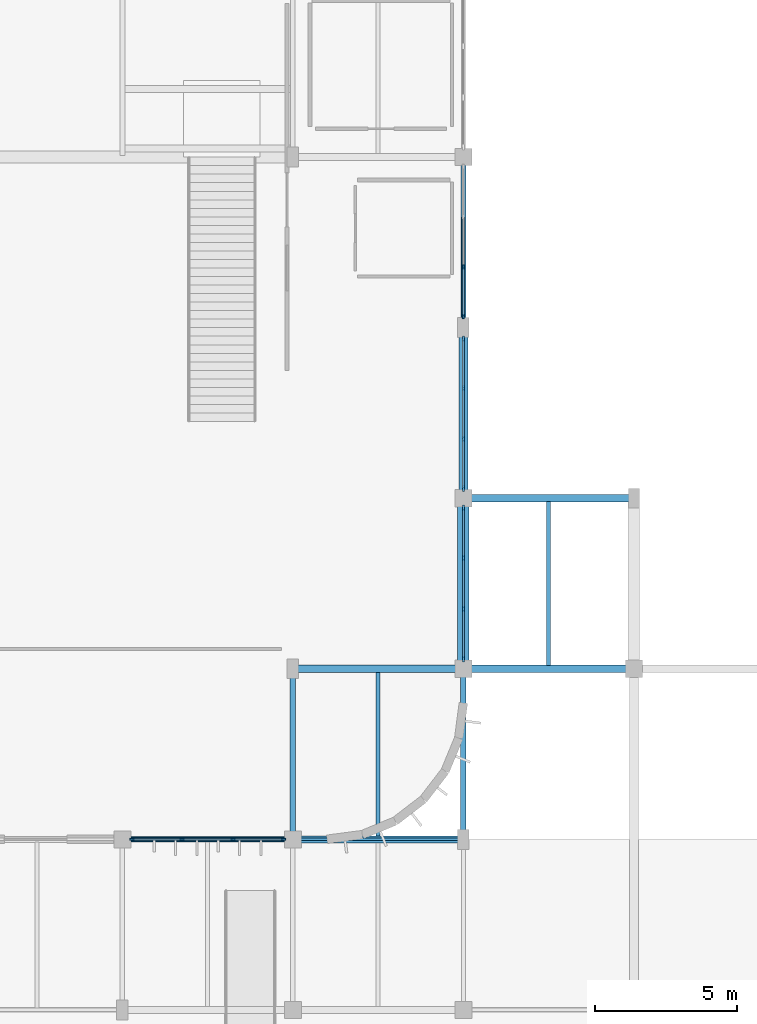
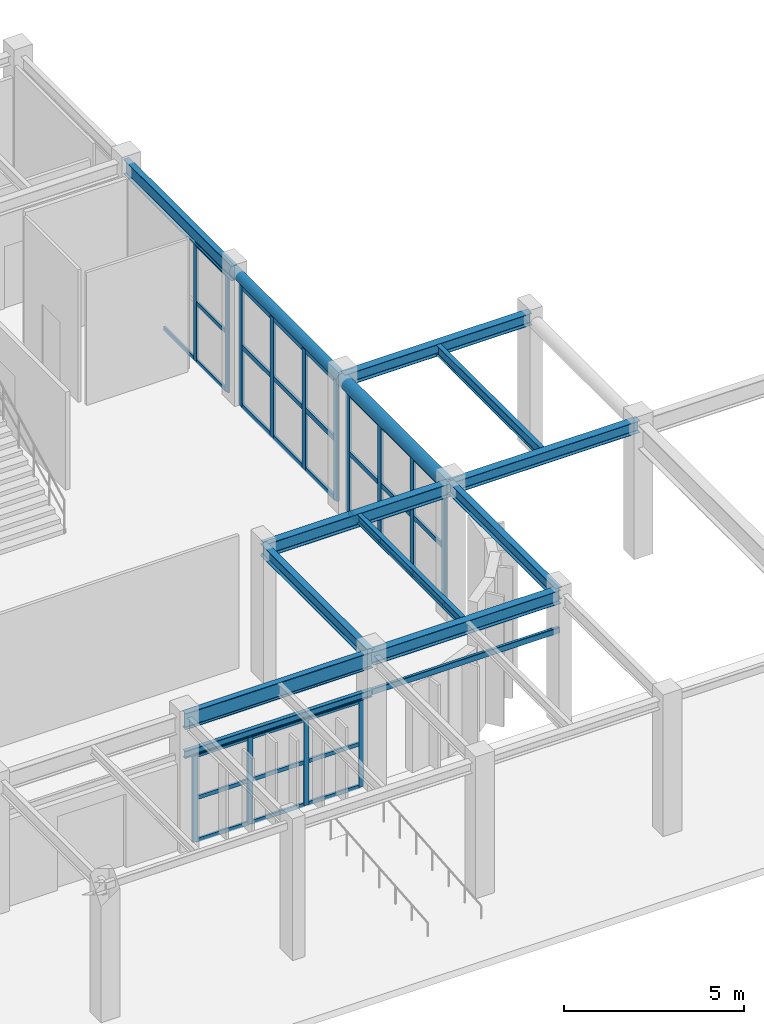
# One storey, part 15 of 76: 45 members, 14 beams, 4 elements without a shape of their own.
"""IFC4 building model written with IfcOpenShell, lengths in metres."""

from ifc_helpers import new_model, si_unit, direction, frame, origin, origin_2d, place, context, subcontext, project, spatial, rectangle, hollow_rectangle, hollow_circle, i_section, extrude, material, material_profile, profile_set, type_object, element, aggregate, save


model = new_model("IFC4")

# Units and contexts
model_context = context("Model", 3, precision=1e-05, world=origin(), true_north=direction((0.0, 1.0)))
body_context = subcontext(model_context, "Body", "Model", "MODEL_VIEW")
ifc_project = project(units=[si_unit("LENGTHUNIT", "METRE"), si_unit("AREAUNIT", "SQUARE_METRE"), si_unit("VOLUMEUNIT", "CUBIC_METRE"), si_unit("PLANEANGLEUNIT", "RADIAN"), si_unit("MASSUNIT", "GRAM", prefix="KILO")], contexts=[model_context])

# Site, building, storey
site_placement = place(None, origin())
site = spatial("IfcSite", under=ifc_project, at=site_placement, CompositionType="ELEMENT")
building_placement = place(site_placement, origin())
building = spatial("IfcBuilding", under=site, at=building_placement, Name="Varnakota Square Police Headquarters", CompositionType="ELEMENT")
storey_placement = place(building_placement, origin())
storey = spatial("IfcBuildingStorey", under=building, at=storey_placement, Name="L00", CompositionType="ELEMENT", Elevation=0.0)

# Beams
ifc_material_1 = material(Name="Steel IS 2062 Grade 350", Category="steel")
ifc_material_profile_1 = material_profile(ifc_material_1, hollow_circle(Radius=0.161865234375, WallThickness=0.0126953125, at=origin_2d()), Name="CHS 323.9x12.7")
ifc_profile_set_1 = profile_set([ifc_material_profile_1], Name="Steel IS 2062 Grade 350")
beam_type_1 = type_object("IfcBeamType", Name="BM-ARC-CHS324", PredefinedType="BEAM", material=ifc_profile_set_1)
beam_1_placement = place(storey_placement, frame((96.0, 21.0, 4.337890625), z_axis=(0.0, 1.0, 0.0), x_axis=(-1.0, 0.0, 0.0)))
element("IfcBeam", 1, at=beam_1_placement, inside=storey, type_object=beam_type_1, Name="BMG-L00-1072", PredefinedType="BEAM", context=body_context, shape_type="SweptSolid", body=[
    extrude(hollow_circle(Radius=0.161865234375, WallThickness=0.0126953125, at=origin_2d()), origin(), (0.0, 0.0, 1.0), 6.0),
])
ifc_material_profile_2 = material_profile(ifc_material_1, hollow_circle(Radius=0.203125, WallThickness=0.01611328125, at=origin_2d()), Name="CHS 406.4x16.0")
ifc_profile_set_2 = profile_set([ifc_material_profile_2], Name="Steel IS 2062 Grade 350")
beam_type_2 = type_object("IfcBeamType", Name="BM-ARC-CHS406", PredefinedType="BEAM", material=ifc_profile_set_2)
beam_2_placement = place(storey_placement, frame((96.0, 15.0, 4.296875), z_axis=(0.0, 1.0, 0.0), x_axis=(-1.0, 0.0, 0.0)))
element("IfcBeam", 2, at=beam_2_placement, inside=storey, type_object=beam_type_2, Name="BMG-L00-1071", PredefinedType="BEAM", context=body_context, shape_type="SweptSolid", body=[
    extrude(hollow_circle(Radius=0.203125, WallThickness=0.01611328125, at=origin_2d()), origin(), (0.0, 0.0, 1.0), 6.0),
])
ifc_material_profile_3 = material_profile(ifc_material_1, i_section(OverallWidth=0.25, OverallDepth=0.39990234375, WebThickness=0.010498046875, FlangeThickness=0.0126953125, FilletRadius=0.013916015625, at=origin_2d()), Name="ISHB 400")
ifc_profile_set_3 = profile_set([ifc_material_profile_3], Name="Steel IS 2062 Grade 350")
beam_type_3 = type_object("IfcBeamType", Name="BM-ISHB400", PredefinedType="BEAM", material=ifc_profile_set_3)
for number, where, z_axis, x_axis, name in (
    (3, (96.0, 15.0, 4.300048828125), (1.0, 0.0, 0.0), (0.0, 1.0, 0.0), "BMG-L00-0732"),
    (4, (96.0, 21.0, 4.300048828125), (1.0, 0.0, 0.0), (0.0, 1.0, 0.0), "BMG-L00-0748"),
):
    element("IfcBeam", number, at=place(storey_placement, frame(where, z_axis=z_axis, x_axis=x_axis)), inside=storey, type_object=beam_type_3, Name=name, PredefinedType="BEAM", context=body_context, shape_type="SweptSolid", body=[
        extrude(i_section(OverallWidth=0.25, OverallDepth=0.39990234375, WebThickness=0.010498046875, FlangeThickness=0.0126953125, FilletRadius=0.013916015625, at=origin_2d()), origin(), (0.0, 0.0, 1.0), 6.0),
    ])
ifc_material_profile_4 = material_profile(ifc_material_1, i_section(OverallWidth=0.25, OverallDepth=0.449951171875, WebThickness=0.01123046875, FlangeThickness=0.013671875, FilletRadius=0.014892578125, at=origin_2d()), Name="ISHB 450")
ifc_profile_set_4 = profile_set([ifc_material_profile_4], Name="Steel IS 2062 Grade 350")
beam_type_4 = type_object("IfcBeamType", Name="BM-ISHB450", PredefinedType="BEAM", material=ifc_profile_set_4)
for number, where, z_axis, x_axis, name in (
    (5, (90.0, 9.0, 4.27490234375), (1.0, 0.0, 0.0), (0.0, 1.0, 0.0), "BMG-L00-0717"),
    (6, (90.0, 15.0, 4.27490234375), (1.0, 0.0, 0.0), (0.0, 1.0, 0.0), "BMG-L00-0731"),
):
    element("IfcBeam", number, at=place(storey_placement, frame(where, z_axis=z_axis, x_axis=x_axis)), inside=storey, type_object=beam_type_4, Name=name, PredefinedType="BEAM", context=body_context, shape_type="SweptSolid", body=[
        extrude(i_section(OverallWidth=0.25, OverallDepth=0.449951171875, WebThickness=0.01123046875, FlangeThickness=0.013671875, FilletRadius=0.014892578125, at=origin_2d()), origin(), (0.0, 0.0, 1.0), 6.0),
    ])
ifc_material_profile_5 = material_profile(ifc_material_1, i_section(OverallWidth=0.125, OverallDepth=0.25, WebThickness=0.0068359375, FlangeThickness=0.012451171875, FilletRadius=0.012939453125, at=origin_2d()), Name="ISMB 250")
ifc_profile_set_5 = profile_set([ifc_material_profile_5], Name="Steel IS 2062 Grade 350")
beam_type_5 = type_object("IfcBeamType", Name="BM-ISMB250", PredefinedType="LINTEL", material=ifc_profile_set_5)
beam_3_placement = place(storey_placement, frame((84.0, 9.0, 3.074951171875), z_axis=(1.0, 0.0, 0.0), x_axis=(0.0, 1.0, 0.0)))
element("IfcBeam", 7, at=beam_3_placement, inside=storey, type_object=beam_type_5, Name="Entrance lintel LNT-06", PredefinedType="LINTEL", context=body_context, shape_type="SweptSolid", body=[
    extrude(i_section(OverallWidth=0.125, OverallDepth=0.25, WebThickness=0.0068359375, FlangeThickness=0.012451171875, FilletRadius=0.012939453125, at=origin_2d()), origin(), (0.0, 0.0, 1.0), 6.0),
])
ifc_material_profile_6 = material_profile(ifc_material_1, i_section(OverallWidth=0.139892578125, OverallDepth=0.300048828125, WebThickness=0.0078125, FlangeThickness=0.01318359375, FilletRadius=0.013916015625, at=origin_2d()), Name="ISMB 300")
ifc_profile_set_6 = profile_set([ifc_material_profile_6], Name="Steel IS 2062 Grade 350")
beam_type_6 = type_object("IfcBeamType", Name="BM-ISMB300", PredefinedType="JOIST", material=ifc_profile_set_6)
beam_4_placement = place(storey_placement, frame((93.0, 9.123046875, 4.35009765625), z_axis=(0.0, 1.0, 0.0), x_axis=(-1.0, 0.0, 0.0)))
element("IfcBeam", 8, at=beam_4_placement, inside=storey, type_object=beam_type_6, Name="BMG-L00-1253", PredefinedType="JOIST", context=body_context, shape_type="SweptSolid", body=[
    extrude(i_section(OverallWidth=0.139892578125, OverallDepth=0.300048828125, WebThickness=0.0078125, FlangeThickness=0.01318359375, FilletRadius=0.013916015625, at=origin_2d()), origin(), (0.0, 0.0, 1.0), 5.75390625),
])
ifc_material_profile_7 = material_profile(ifc_material_1, i_section(OverallWidth=0.139892578125, OverallDepth=0.35009765625, WebThickness=0.008056640625, FlangeThickness=0.01416015625, FilletRadius=0.013916015625, at=origin_2d()), Name="ISMB 350")
ifc_profile_set_7 = profile_set([ifc_material_profile_7], Name="Steel IS 2062 Grade 350")
beam_type_7 = type_object("IfcBeamType", Name="BM-ISMB350", PredefinedType="JOIST", material=ifc_profile_set_7)
beam_5_placement = place(storey_placement, frame((99.0, 15.123046875, 4.324951171875), z_axis=(0.0, 1.0, 0.0), x_axis=(-1.0, 0.0, 0.0)))
element("IfcBeam", 9, at=beam_5_placement, inside=storey, type_object=beam_type_7, Name="BMG-L00-1256", PredefinedType="JOIST", context=body_context, shape_type="SweptSolid", body=[
    extrude(i_section(OverallWidth=0.139892578125, OverallDepth=0.35009765625, WebThickness=0.008056640625, FlangeThickness=0.01416015625, FilletRadius=0.013916015625, at=origin_2d()), origin(), (0.0, 0.0, 1.0), 5.75390625),
])
ifc_material_profile_8 = material_profile(ifc_material_1, i_section(OverallWidth=0.179931640625, OverallDepth=0.5, WebThickness=0.01025390625, FlangeThickness=0.01708984375, FilletRadius=0.01708984375, at=origin_2d()), Name="ISMB 500")
ifc_profile_set_8 = profile_set([ifc_material_profile_8], Name="Steel IS 2062 Grade 350")
beam_type_8 = type_object("IfcBeamType", Name="BM-ISMB500", PredefinedType="BEAM", material=ifc_profile_set_8)
beam_6_placement = place(storey_placement, frame((96.0, 27.0, 4.25), z_axis=(0.0, 1.0, 0.0), x_axis=(-1.0, 0.0, 0.0)))
element("IfcBeam", 10, at=beam_6_placement, inside=storey, type_object=beam_type_8, Name="BMG-L00-1073", PredefinedType="BEAM", context=body_context, shape_type="SweptSolid", body=[
    extrude(i_section(OverallWidth=0.179931640625, OverallDepth=0.5, WebThickness=0.01025390625, FlangeThickness=0.01708984375, FilletRadius=0.01708984375, at=origin_2d()), origin(), (0.0, 0.0, 1.0), 6.0),
])
ifc_material_profile_9 = material_profile(ifc_material_1, i_section(OverallWidth=0.18994140625, OverallDepth=0.550048828125, WebThickness=0.01123046875, FlangeThickness=0.019287109375, FilletRadius=0.01806640625, at=origin_2d()), Name="ISMB 550")
ifc_profile_set_9 = profile_set([ifc_material_profile_9], Name="Steel IS 2062 Grade 350")
beam_type_9 = type_object("IfcBeamType", Name="BM-ISMB550", PredefinedType="BEAM", material=ifc_profile_set_9)
beam_7_placement = place(storey_placement, frame((84.0, 9.0, 4.22509765625), z_axis=(1.0, 0.0, 0.0), x_axis=(0.0, 1.0, 0.0)))
element("IfcBeam", 11, at=beam_7_placement, inside=storey, type_object=beam_type_9, Name="BMG-L00-0716", PredefinedType="BEAM", context=body_context, shape_type="SweptSolid", body=[
    extrude(i_section(OverallWidth=0.18994140625, OverallDepth=0.550048828125, WebThickness=0.01123046875, FlangeThickness=0.019287109375, FilletRadius=0.01806640625, at=origin_2d()), origin(), (0.0, 0.0, 1.0), 6.0),
])
ifc_material_profile_10 = material_profile(ifc_material_1, i_section(OverallWidth=0.199951171875, OverallDepth=0.39990234375, WebThickness=0.008544921875, FlangeThickness=0.012939453125, FilletRadius=0.012939453125, at=origin_2d()), Name="ISWB 400")
ifc_profile_set_10 = profile_set([ifc_material_profile_10], Name="Steel IS 2062 Grade 350")
beam_type_10 = type_object("IfcBeamType", Name="BM-ISWB400", PredefinedType="BEAM", material=ifc_profile_set_10)
for number, where, z_axis, x_axis, name in (
    (12, (90.0, 9.0, 4.300048828125), (0.0, 1.0, 0.0), (-1.0, 0.0, 0.0), "BMG-L00-1064"),
    (13, (96.0, 9.0, 4.300048828125), (0.0, 1.0, 0.0), (-1.0, 0.0, 0.0), "BMG-L00-1070"),
):
    element("IfcBeam", number, at=place(storey_placement, frame(where, z_axis=z_axis, x_axis=x_axis)), inside=storey, type_object=beam_type_10, Name=name, PredefinedType="BEAM", context=body_context, shape_type="SweptSolid", body=[
        extrude(i_section(OverallWidth=0.199951171875, OverallDepth=0.39990234375, WebThickness=0.008544921875, FlangeThickness=0.012939453125, FilletRadius=0.012939453125, at=origin_2d()), origin(), (0.0, 0.0, 1.0), 6.0),
    ])
ifc_material_profile_11 = material_profile(ifc_material_1, hollow_rectangle(XDim=0.10009765625, YDim=0.199951171875, WallThickness=0.008056640625, InnerFilletRadius=0.008056640625, OuterFilletRadius=0.01611328125, at=origin_2d()), Name="RHS 200x100x8")
ifc_profile_set_11 = profile_set([ifc_material_profile_11], Name="Steel IS 2062 Grade 350")
beam_type_11 = type_object("IfcBeamType", Name="BM-LNT-RHS200", PredefinedType="LINTEL", material=ifc_profile_set_11)
beam_8_placement = place(storey_placement, frame((90.0, 9.0, 3.10009765625), z_axis=(1.0, 0.0, 0.0), x_axis=(0.0, 1.0, 0.0)))
element("IfcBeam", 14, at=beam_8_placement, inside=storey, type_object=beam_type_11, Name="Entrance lintel LNT-07", PredefinedType="LINTEL", context=body_context, shape_type="SweptSolid", body=[
    extrude(hollow_rectangle(XDim=0.10009765625, YDim=0.199951171875, WallThickness=0.008056640625, InnerFilletRadius=0.008056640625, OuterFilletRadius=0.01611328125, at=origin_2d()), origin(), (0.0, 0.0, 1.0), 6.0),
])

# Curtain wall, members
ifc_material_2 = material(Name="Anodised Aluminium Framing", Category="aluminium")
curtain_wall_type = type_object("IfcCurtainWallType", Name="CW-SYS-A", PredefinedType="NOTDEFINED", material=ifc_material_2)
curtain_wall_1_placement = place(storey_placement, origin())
curtain_wall_1 = element("IfcCurtainWall", 15, at=curtain_wall_1_placement, inside=storey, type_object=curtain_wall_type, Name="Unitised curtain wall CWG-L00-001", PredefinedType="NOTDEFINED")
ifc_material_3 = material(Name="Anodised Aluminium 6063-T6", Category="aluminium")
ifc_material_profile_12 = material_profile(ifc_material_3, rectangle(XDim=0.06494140625, YDim=0.159912109375, at=origin_2d()), Name="ALU MULLION 65x160")
ifc_profile_set_12 = profile_set([ifc_material_profile_12], Name="Anodised Aluminium 6063-T6")
member_type_1 = type_object("IfcMemberType", Name="CWM-150", PredefinedType="MULLION", material=ifc_profile_set_12)
member_1_placement = place(storey_placement, frame((84.33740234375, 9.0, 0.0), z_axis=(0.0, 0.0, 1.0), x_axis=(0.0, 1.0, 0.0)))
member_1 = element("IfcMember", 16, at=member_1_placement, type_object=member_type_1, Name="CWG-L00-001 mullion 1", PredefinedType="MULLION", context=body_context, shape_type="SweptSolid", body=[
    extrude(rectangle(XDim=0.06494140625, YDim=0.159912109375, at=origin_2d()), origin(), (0.0, 0.0, 1.0), 2.93994140625),
])
member_2_placement = place(storey_placement, frame((86.1015625, 9.0, 0.0), z_axis=(0.0, 0.0, 1.0), x_axis=(0.0, 1.0, 0.0)))
member_2 = element("IfcMember", 17, at=member_2_placement, type_object=member_type_1, Name="CWG-L00-001 mullion 2", PredefinedType="MULLION", context=body_context, shape_type="SweptSolid", body=[
    extrude(rectangle(XDim=0.06494140625, YDim=0.159912109375, at=origin_2d()), origin(), (0.0, 0.0, 1.0), 2.93994140625),
])
member_3_placement = place(storey_placement, frame((87.8984375, 9.0, 0.0), z_axis=(0.0, 0.0, 1.0), x_axis=(0.0, 1.0, 0.0)))
member_3 = element("IfcMember", 18, at=member_3_placement, type_object=member_type_1, Name="CWG-L00-001 mullion 3", PredefinedType="MULLION", context=body_context, shape_type="SweptSolid", body=[
    extrude(rectangle(XDim=0.06494140625, YDim=0.159912109375, at=origin_2d()), origin(), (0.0, 0.0, 1.0), 2.93994140625),
])
member_4_placement = place(storey_placement, frame((89.66259765625, 9.0, 0.0), z_axis=(0.0, 0.0, 1.0), x_axis=(0.0, 1.0, 0.0)))
member_4 = element("IfcMember", 19, at=member_4_placement, type_object=member_type_1, Name="CWG-L00-001 mullion 4", PredefinedType="MULLION", context=body_context, shape_type="SweptSolid", body=[
    extrude(rectangle(XDim=0.06494140625, YDim=0.159912109375, at=origin_2d()), origin(), (0.0, 0.0, 1.0), 2.93994140625),
])

curtain_wall_2_placement = place(storey_placement, origin())
curtain_wall_2 = element("IfcCurtainWall", 20, at=curtain_wall_2_placement, inside=storey, type_object=curtain_wall_type, Name="Unitised curtain wall CWG-L00-013", PredefinedType="NOTDEFINED")
member_5_placement = place(storey_placement, frame((96.0, 27.387451171875, 0.0), z_axis=(0.0, 0.0, 1.0), x_axis=(-1.0, 0.0, 0.0)))
member_5 = element("IfcMember", 21, at=member_5_placement, type_object=member_type_1, Name="CWG-L00-013 mullion 1", PredefinedType="MULLION", context=body_context, shape_type="SweptSolid", body=[
    extrude(rectangle(XDim=0.06494140625, YDim=0.159912109375, at=origin_2d()), origin(), (0.0, 0.0, 1.0), 3.989990234375),
])
member_6_placement = place(storey_placement, frame((96.0, 29.135009765625, 0.0), z_axis=(0.0, 0.0, 1.0), x_axis=(-1.0, 0.0, 0.0)))
member_6 = element("IfcMember", 22, at=member_6_placement, type_object=member_type_1, Name="CWG-L00-013 mullion 2", PredefinedType="MULLION", context=body_context, shape_type="SweptSolid", body=[
    extrude(rectangle(XDim=0.06494140625, YDim=0.159912109375, at=origin_2d()), origin(), (0.0, 0.0, 1.0), 3.989990234375),
])

curtain_wall_3_placement = place(storey_placement, origin())
curtain_wall_3 = element("IfcCurtainWall", 23, at=curtain_wall_3_placement, inside=storey, type_object=curtain_wall_type, Name="Unitised curtain wall CWG-L00-009", PredefinedType="NOTDEFINED")
ifc_material_profile_13 = material_profile(ifc_material_3, rectangle(XDim=0.074951171875, YDim=0.199951171875, at=origin_2d()), Name="ALU MULLION 75x200")
ifc_profile_set_13 = profile_set([ifc_material_profile_13], Name="Anodised Aluminium 6063-T6")
member_type_2 = type_object("IfcMemberType", Name="CWM-180", PredefinedType="MULLION", material=ifc_profile_set_13)
member_7_placement = place(storey_placement, frame((96.0, 15.342529296875, 0.0), z_axis=(0.0, 0.0, 1.0), x_axis=(-1.0, 0.0, 0.0)))
member_7 = element("IfcMember", 24, at=member_7_placement, type_object=member_type_2, Name="CWG-L00-009 mullion 1", PredefinedType="MULLION", context=body_context, shape_type="SweptSolid", body=[
    extrude(rectangle(XDim=0.074951171875, YDim=0.199951171875, at=origin_2d()), origin(), (0.0, 0.0, 1.0), 4.08349609375),
])
member_8_placement = place(storey_placement, frame((96.0, 17.1015625, 0.0), z_axis=(0.0, 0.0, 1.0), x_axis=(-1.0, 0.0, 0.0)))
member_8 = element("IfcMember", 25, at=member_8_placement, type_object=member_type_2, Name="CWG-L00-009 mullion 2", PredefinedType="MULLION", context=body_context, shape_type="SweptSolid", body=[
    extrude(rectangle(XDim=0.074951171875, YDim=0.199951171875, at=origin_2d()), origin(), (0.0, 0.0, 1.0), 4.08349609375),
])
member_9_placement = place(storey_placement, frame((96.0, 18.8984375, 0.0), z_axis=(0.0, 0.0, 1.0), x_axis=(-1.0, 0.0, 0.0)))
member_9 = element("IfcMember", 26, at=member_9_placement, type_object=member_type_2, Name="CWG-L00-009 mullion 3", PredefinedType="MULLION", context=body_context, shape_type="SweptSolid", body=[
    extrude(rectangle(XDim=0.074951171875, YDim=0.199951171875, at=origin_2d()), origin(), (0.0, 0.0, 1.0), 4.08349609375),
])
member_10_placement = place(storey_placement, frame((96.0, 20.657470703125, 0.0), z_axis=(0.0, 0.0, 1.0), x_axis=(-1.0, 0.0, 0.0)))
member_10 = element("IfcMember", 27, at=member_10_placement, type_object=member_type_2, Name="CWG-L00-009 mullion 4", PredefinedType="MULLION", context=body_context, shape_type="SweptSolid", body=[
    extrude(rectangle(XDim=0.074951171875, YDim=0.199951171875, at=origin_2d()), origin(), (0.0, 0.0, 1.0), 4.08349609375),
])

curtain_wall_4_placement = place(storey_placement, origin())
curtain_wall_4 = element("IfcCurtainWall", 28, at=curtain_wall_4_placement, inside=storey, type_object=curtain_wall_type, Name="Unitised curtain wall CWG-L00-011", PredefinedType="NOTDEFINED")
member_11_placement = place(storey_placement, frame((96.0, 21.342529296875, 0.0), z_axis=(0.0, 0.0, 1.0), x_axis=(-1.0, 0.0, 0.0)))
member_11 = element("IfcMember", 29, at=member_11_placement, type_object=member_type_2, Name="CWG-L00-011 mullion 1", PredefinedType="MULLION", context=body_context, shape_type="SweptSolid", body=[
    extrude(rectangle(XDim=0.074951171875, YDim=0.199951171875, at=origin_2d()), origin(), (0.0, 0.0, 1.0), 4.08349609375),
])
member_12_placement = place(storey_placement, frame((96.0, 23.0849609375, 0.0), z_axis=(0.0, 0.0, 1.0), x_axis=(-1.0, 0.0, 0.0)))
member_12 = element("IfcMember", 30, at=member_12_placement, type_object=member_type_2, Name="CWG-L00-011 mullion 2", PredefinedType="MULLION", context=body_context, shape_type="SweptSolid", body=[
    extrude(rectangle(XDim=0.074951171875, YDim=0.199951171875, at=origin_2d()), origin(), (0.0, 0.0, 1.0), 4.08349609375),
])
member_13_placement = place(storey_placement, frame((96.0, 24.864990234375, 0.0), z_axis=(0.0, 0.0, 1.0), x_axis=(-1.0, 0.0, 0.0)))
member_13 = element("IfcMember", 31, at=member_13_placement, type_object=member_type_2, Name="CWG-L00-011 mullion 3", PredefinedType="MULLION", context=body_context, shape_type="SweptSolid", body=[
    extrude(rectangle(XDim=0.074951171875, YDim=0.199951171875, at=origin_2d()), origin(), (0.0, 0.0, 1.0), 4.08349609375),
])
member_14_placement = place(storey_placement, frame((96.0, 26.607421875, 0.0), z_axis=(0.0, 0.0, 1.0), x_axis=(-1.0, 0.0, 0.0)))
member_14 = element("IfcMember", 32, at=member_14_placement, type_object=member_type_2, Name="CWG-L00-011 mullion 4", PredefinedType="MULLION", context=body_context, shape_type="SweptSolid", body=[
    extrude(rectangle(XDim=0.074951171875, YDim=0.199951171875, at=origin_2d()), origin(), (0.0, 0.0, 1.0), 4.08349609375),
])

# Member
ifc_material_profile_14 = material_profile(ifc_material_3, rectangle(XDim=0.06494140625, YDim=0.1298828125, at=origin_2d()), Name="ALU TRANSOM 65x130")
ifc_profile_set_14 = profile_set([ifc_material_profile_14], Name="Anodised Aluminium 6063-T6")
member_type_3 = type_object("IfcMemberType", Name="CWT-120", PredefinedType="USERDEFINED", material=ifc_profile_set_14)
member_15_placement = place(storey_placement, frame((84.3701171875, 9.0, 0.032470703125), z_axis=(1.0, 0.0, 0.0), x_axis=(0.0, 1.0, 0.0)))
member_15 = element("IfcMember", 33, at=member_15_placement, type_object=member_type_3, Name="CWG-L00-001 transom 1.1", ObjectType="TRANSOM", PredefinedType="USERDEFINED", context=body_context, shape_type="SweptSolid", body=[
    extrude(rectangle(XDim=0.06494140625, YDim=0.1298828125, at=origin_2d()), origin(), (0.0, 0.0, 1.0), 1.698974609375),
])

member_16_placement = place(storey_placement, frame((84.3701171875, 9.0, 1.469970703125), z_axis=(1.0, 0.0, 0.0), x_axis=(0.0, 1.0, 0.0)))
member_16 = element("IfcMember", 34, at=member_16_placement, type_object=member_type_3, Name="CWG-L00-001 transom 1.2", ObjectType="TRANSOM", PredefinedType="USERDEFINED", context=body_context, shape_type="SweptSolid", body=[
    extrude(rectangle(XDim=0.06494140625, YDim=0.1298828125, at=origin_2d()), origin(), (0.0, 0.0, 1.0), 1.698974609375),
])

member_17_placement = place(storey_placement, frame((84.3701171875, 9.0, 2.907470703125), z_axis=(1.0, 0.0, 0.0), x_axis=(0.0, 1.0, 0.0)))
member_17 = element("IfcMember", 35, at=member_17_placement, type_object=member_type_3, Name="CWG-L00-001 transom 1.3", ObjectType="TRANSOM", PredefinedType="USERDEFINED", context=body_context, shape_type="SweptSolid", body=[
    extrude(rectangle(XDim=0.06494140625, YDim=0.1298828125, at=origin_2d()), origin(), (0.0, 0.0, 1.0), 1.698974609375),
])

member_18_placement = place(storey_placement, frame((86.13427734375, 9.0, 0.032470703125), z_axis=(1.0, 0.0, 0.0), x_axis=(0.0, 1.0, 0.0)))
member_18 = element("IfcMember", 36, at=member_18_placement, type_object=member_type_3, Name="CWG-L00-001 transom 2.1", ObjectType="TRANSOM", PredefinedType="USERDEFINED", context=body_context, shape_type="SweptSolid", body=[
    extrude(rectangle(XDim=0.06494140625, YDim=0.1298828125, at=origin_2d()), origin(), (0.0, 0.0, 1.0), 1.7314453125),
])

member_19_placement = place(storey_placement, frame((86.13427734375, 9.0, 1.469970703125), z_axis=(1.0, 0.0, 0.0), x_axis=(0.0, 1.0, 0.0)))
member_19 = element("IfcMember", 37, at=member_19_placement, type_object=member_type_3, Name="CWG-L00-001 transom 2.2", ObjectType="TRANSOM", PredefinedType="USERDEFINED", context=body_context, shape_type="SweptSolid", body=[
    extrude(rectangle(XDim=0.06494140625, YDim=0.1298828125, at=origin_2d()), origin(), (0.0, 0.0, 1.0), 1.7314453125),
])

member_20_placement = place(storey_placement, frame((86.13427734375, 9.0, 2.907470703125), z_axis=(1.0, 0.0, 0.0), x_axis=(0.0, 1.0, 0.0)))
member_20 = element("IfcMember", 38, at=member_20_placement, type_object=member_type_3, Name="CWG-L00-001 transom 2.3", ObjectType="TRANSOM", PredefinedType="USERDEFINED", context=body_context, shape_type="SweptSolid", body=[
    extrude(rectangle(XDim=0.06494140625, YDim=0.1298828125, at=origin_2d()), origin(), (0.0, 0.0, 1.0), 1.7314453125),
])

member_21_placement = place(storey_placement, frame((87.930908203125, 9.0, 0.032470703125), z_axis=(1.0, 0.0, 0.0), x_axis=(0.0, 1.0, 0.0)))
member_21 = element("IfcMember", 39, at=member_21_placement, type_object=member_type_3, Name="CWG-L00-001 transom 3.1", ObjectType="TRANSOM", PredefinedType="USERDEFINED", context=body_context, shape_type="SweptSolid", body=[
    extrude(rectangle(XDim=0.06494140625, YDim=0.1298828125, at=origin_2d()), origin(), (0.0, 0.0, 1.0), 1.698974609375),
])

member_22_placement = place(storey_placement, frame((87.930908203125, 9.0, 1.469970703125), z_axis=(1.0, 0.0, 0.0), x_axis=(0.0, 1.0, 0.0)))
member_22 = element("IfcMember", 40, at=member_22_placement, type_object=member_type_3, Name="CWG-L00-001 transom 3.2", ObjectType="TRANSOM", PredefinedType="USERDEFINED", context=body_context, shape_type="SweptSolid", body=[
    extrude(rectangle(XDim=0.06494140625, YDim=0.1298828125, at=origin_2d()), origin(), (0.0, 0.0, 1.0), 1.698974609375),
])

member_23_placement = place(storey_placement, frame((87.930908203125, 9.0, 2.907470703125), z_axis=(1.0, 0.0, 0.0), x_axis=(0.0, 1.0, 0.0)))
member_23 = element("IfcMember", 41, at=member_23_placement, type_object=member_type_3, Name="CWG-L00-001 transom 3.3", ObjectType="TRANSOM", PredefinedType="USERDEFINED", context=body_context, shape_type="SweptSolid", body=[
    extrude(rectangle(XDim=0.06494140625, YDim=0.1298828125, at=origin_2d()), origin(), (0.0, 0.0, 1.0), 1.698974609375),
])

aggregate(curtain_wall_1, [member_1, member_2, member_3, member_4, member_15, member_16, member_17, member_18, member_19, member_20, member_21, member_22, member_23])

member_24_placement = place(storey_placement, frame((96.0, 27.419921875, 0.032470703125), z_axis=(0.0, 1.0, 0.0), x_axis=(-1.0, 0.0, 0.0)))
member_24 = element("IfcMember", 42, at=member_24_placement, type_object=member_type_3, Name="CWG-L00-013 transom 1.1", ObjectType="TRANSOM", PredefinedType="USERDEFINED", context=body_context, shape_type="SweptSolid", body=[
    extrude(rectangle(XDim=0.06494140625, YDim=0.1298828125, at=origin_2d()), origin(), (0.0, 0.0, 1.0), 1.6826171875),
])

member_25_placement = place(storey_placement, frame((96.0, 27.419921875, 1.9951171875), z_axis=(0.0, 1.0, 0.0), x_axis=(-1.0, 0.0, 0.0)))
member_25 = element("IfcMember", 43, at=member_25_placement, type_object=member_type_3, Name="CWG-L00-013 transom 1.2", ObjectType="TRANSOM", PredefinedType="USERDEFINED", context=body_context, shape_type="SweptSolid", body=[
    extrude(rectangle(XDim=0.06494140625, YDim=0.1298828125, at=origin_2d()), origin(), (0.0, 0.0, 1.0), 1.6826171875),
])

member_26_placement = place(storey_placement, frame((96.0, 27.419921875, 3.95751953125), z_axis=(0.0, 1.0, 0.0), x_axis=(-1.0, 0.0, 0.0)))
member_26 = element("IfcMember", 44, at=member_26_placement, type_object=member_type_3, Name="CWG-L00-013 transom 1.3", ObjectType="TRANSOM", PredefinedType="USERDEFINED", context=body_context, shape_type="SweptSolid", body=[
    extrude(rectangle(XDim=0.06494140625, YDim=0.1298828125, at=origin_2d()), origin(), (0.0, 0.0, 1.0), 1.6826171875),
])

member_27_placement = place(storey_placement, frame((96.0, 29.16748046875, 0.032470703125), z_axis=(0.0, 1.0, 0.0), x_axis=(-1.0, 0.0, 0.0)))
member_27 = element("IfcMember", 45, at=member_27_placement, type_object=member_type_3, Name="CWG-L00-013 transom 2.1", ObjectType="TRANSOM", PredefinedType="USERDEFINED", context=body_context, shape_type="SweptSolid", body=[
    extrude(rectangle(XDim=0.06494140625, YDim=0.1298828125, at=origin_2d()), origin(), (0.0, 0.0, 1.0), 1.715087890625),
])

aggregate(curtain_wall_2, [member_5, member_6, member_24, member_25, member_26, member_27])

ifc_material_profile_15 = material_profile(ifc_material_3, rectangle(XDim=0.074951171875, YDim=0.159912109375, at=origin_2d()), Name="ALU TRANSOM 75x160")
ifc_profile_set_15 = profile_set([ifc_material_profile_15], Name="Anodised Aluminium 6063-T6")
member_type_4 = type_object("IfcMemberType", Name="CWT-150", PredefinedType="USERDEFINED", material=ifc_profile_set_15)
member_28_placement = place(storey_placement, frame((96.0, 15.3798828125, 0.03759765625), z_axis=(0.0, 1.0, 0.0), x_axis=(-1.0, 0.0, 0.0)))
member_28 = element("IfcMember", 46, at=member_28_placement, type_object=member_type_4, Name="CWG-L00-009 transom 1.1", ObjectType="TRANSOM", PredefinedType="USERDEFINED", context=body_context, shape_type="SweptSolid", body=[
    extrude(rectangle(XDim=0.074951171875, YDim=0.159912109375, at=origin_2d()), origin(), (0.0, 0.0, 1.0), 1.684326171875),
])

member_29_placement = place(storey_placement, frame((96.0, 15.3798828125, 2.041748046875), z_axis=(0.0, 1.0, 0.0), x_axis=(-1.0, 0.0, 0.0)))
member_29 = element("IfcMember", 47, at=member_29_placement, type_object=member_type_4, Name="CWG-L00-009 transom 1.2", ObjectType="TRANSOM", PredefinedType="USERDEFINED", context=body_context, shape_type="SweptSolid", body=[
    extrude(rectangle(XDim=0.074951171875, YDim=0.159912109375, at=origin_2d()), origin(), (0.0, 0.0, 1.0), 1.684326171875),
])

member_30_placement = place(storey_placement, frame((96.0, 15.3798828125, 4.046142578125), z_axis=(0.0, 1.0, 0.0), x_axis=(-1.0, 0.0, 0.0)))
member_30 = element("IfcMember", 48, at=member_30_placement, type_object=member_type_4, Name="CWG-L00-009 transom 1.3", ObjectType="TRANSOM", PredefinedType="USERDEFINED", context=body_context, shape_type="SweptSolid", body=[
    extrude(rectangle(XDim=0.074951171875, YDim=0.159912109375, at=origin_2d()), origin(), (0.0, 0.0, 1.0), 1.684326171875),
])

member_31_placement = place(storey_placement, frame((96.0, 17.13916015625, 0.03759765625), z_axis=(0.0, 1.0, 0.0), x_axis=(-1.0, 0.0, 0.0)))
member_31 = element("IfcMember", 49, at=member_31_placement, type_object=member_type_4, Name="CWG-L00-009 transom 2.1", ObjectType="TRANSOM", PredefinedType="USERDEFINED", context=body_context, shape_type="SweptSolid", body=[
    extrude(rectangle(XDim=0.074951171875, YDim=0.159912109375, at=origin_2d()), origin(), (0.0, 0.0, 1.0), 1.7216796875),
])

member_32_placement = place(storey_placement, frame((96.0, 17.13916015625, 2.041748046875), z_axis=(0.0, 1.0, 0.0), x_axis=(-1.0, 0.0, 0.0)))
member_32 = element("IfcMember", 50, at=member_32_placement, type_object=member_type_4, Name="CWG-L00-009 transom 2.2", ObjectType="TRANSOM", PredefinedType="USERDEFINED", context=body_context, shape_type="SweptSolid", body=[
    extrude(rectangle(XDim=0.074951171875, YDim=0.159912109375, at=origin_2d()), origin(), (0.0, 0.0, 1.0), 1.7216796875),
])

member_33_placement = place(storey_placement, frame((96.0, 17.13916015625, 4.046142578125), z_axis=(0.0, 1.0, 0.0), x_axis=(-1.0, 0.0, 0.0)))
member_33 = element("IfcMember", 51, at=member_33_placement, type_object=member_type_4, Name="CWG-L00-009 transom 2.3", ObjectType="TRANSOM", PredefinedType="USERDEFINED", context=body_context, shape_type="SweptSolid", body=[
    extrude(rectangle(XDim=0.074951171875, YDim=0.159912109375, at=origin_2d()), origin(), (0.0, 0.0, 1.0), 1.7216796875),
])

member_34_placement = place(storey_placement, frame((96.0, 18.935791015625, 0.03759765625), z_axis=(0.0, 1.0, 0.0), x_axis=(-1.0, 0.0, 0.0)))
member_34 = element("IfcMember", 52, at=member_34_placement, type_object=member_type_4, Name="CWG-L00-009 transom 3.1", ObjectType="TRANSOM", PredefinedType="USERDEFINED", context=body_context, shape_type="SweptSolid", body=[
    extrude(rectangle(XDim=0.074951171875, YDim=0.159912109375, at=origin_2d()), origin(), (0.0, 0.0, 1.0), 1.684326171875),
])

member_35_placement = place(storey_placement, frame((96.0, 18.935791015625, 2.041748046875), z_axis=(0.0, 1.0, 0.0), x_axis=(-1.0, 0.0, 0.0)))
member_35 = element("IfcMember", 53, at=member_35_placement, type_object=member_type_4, Name="CWG-L00-009 transom 3.2", ObjectType="TRANSOM", PredefinedType="USERDEFINED", context=body_context, shape_type="SweptSolid", body=[
    extrude(rectangle(XDim=0.074951171875, YDim=0.159912109375, at=origin_2d()), origin(), (0.0, 0.0, 1.0), 1.684326171875),
])

member_36_placement = place(storey_placement, frame((96.0, 18.935791015625, 4.046142578125), z_axis=(0.0, 1.0, 0.0), x_axis=(-1.0, 0.0, 0.0)))
member_36 = element("IfcMember", 54, at=member_36_placement, type_object=member_type_4, Name="CWG-L00-009 transom 3.3", ObjectType="TRANSOM", PredefinedType="USERDEFINED", context=body_context, shape_type="SweptSolid", body=[
    extrude(rectangle(XDim=0.074951171875, YDim=0.159912109375, at=origin_2d()), origin(), (0.0, 0.0, 1.0), 1.684326171875),
])

aggregate(curtain_wall_3, [member_7, member_8, member_9, member_10, member_28, member_29, member_30, member_31, member_32, member_33, member_34, member_35, member_36])

member_37_placement = place(storey_placement, frame((96.0, 21.3798828125, 0.03759765625), z_axis=(0.0, 1.0, 0.0), x_axis=(-1.0, 0.0, 0.0)))
member_37 = element("IfcMember", 55, at=member_37_placement, type_object=member_type_4, Name="CWG-L00-011 transom 1.1", ObjectType="TRANSOM", PredefinedType="USERDEFINED", context=body_context, shape_type="SweptSolid", body=[
    extrude(rectangle(XDim=0.074951171875, YDim=0.159912109375, at=origin_2d()), origin(), (0.0, 0.0, 1.0), 1.667724609375),
])

member_38_placement = place(storey_placement, frame((96.0, 21.3798828125, 2.041748046875), z_axis=(0.0, 1.0, 0.0), x_axis=(-1.0, 0.0, 0.0)))
member_38 = element("IfcMember", 56, at=member_38_placement, type_object=member_type_4, Name="CWG-L00-011 transom 1.2", ObjectType="TRANSOM", PredefinedType="USERDEFINED", context=body_context, shape_type="SweptSolid", body=[
    extrude(rectangle(XDim=0.074951171875, YDim=0.159912109375, at=origin_2d()), origin(), (0.0, 0.0, 1.0), 1.667724609375),
])

member_39_placement = place(storey_placement, frame((96.0, 21.3798828125, 4.046142578125), z_axis=(0.0, 1.0, 0.0), x_axis=(-1.0, 0.0, 0.0)))
member_39 = element("IfcMember", 57, at=member_39_placement, type_object=member_type_4, Name="CWG-L00-011 transom 1.3", ObjectType="TRANSOM", PredefinedType="USERDEFINED", context=body_context, shape_type="SweptSolid", body=[
    extrude(rectangle(XDim=0.074951171875, YDim=0.159912109375, at=origin_2d()), origin(), (0.0, 0.0, 1.0), 1.667724609375),
])

member_40_placement = place(storey_placement, frame((96.0, 23.12255859375, 0.03759765625), z_axis=(0.0, 1.0, 0.0), x_axis=(-1.0, 0.0, 0.0)))
member_40 = element("IfcMember", 58, at=member_40_placement, type_object=member_type_4, Name="CWG-L00-011 transom 2.1", ObjectType="TRANSOM", PredefinedType="USERDEFINED", context=body_context, shape_type="SweptSolid", body=[
    extrude(rectangle(XDim=0.074951171875, YDim=0.159912109375, at=origin_2d()), origin(), (0.0, 0.0, 1.0), 1.704833984375),
])

member_41_placement = place(storey_placement, frame((96.0, 23.12255859375, 2.041748046875), z_axis=(0.0, 1.0, 0.0), x_axis=(-1.0, 0.0, 0.0)))
member_41 = element("IfcMember", 59, at=member_41_placement, type_object=member_type_4, Name="CWG-L00-011 transom 2.2", ObjectType="TRANSOM", PredefinedType="USERDEFINED", context=body_context, shape_type="SweptSolid", body=[
    extrude(rectangle(XDim=0.074951171875, YDim=0.159912109375, at=origin_2d()), origin(), (0.0, 0.0, 1.0), 1.704833984375),
])

member_42_placement = place(storey_placement, frame((96.0, 23.12255859375, 4.046142578125), z_axis=(0.0, 1.0, 0.0), x_axis=(-1.0, 0.0, 0.0)))
member_42 = element("IfcMember", 60, at=member_42_placement, type_object=member_type_4, Name="CWG-L00-011 transom 2.3", ObjectType="TRANSOM", PredefinedType="USERDEFINED", context=body_context, shape_type="SweptSolid", body=[
    extrude(rectangle(XDim=0.074951171875, YDim=0.159912109375, at=origin_2d()), origin(), (0.0, 0.0, 1.0), 1.704833984375),
])

member_43_placement = place(storey_placement, frame((96.0, 24.902587890625, 0.03759765625), z_axis=(0.0, 1.0, 0.0), x_axis=(-1.0, 0.0, 0.0)))
member_43 = element("IfcMember", 61, at=member_43_placement, type_object=member_type_4, Name="CWG-L00-011 transom 3.1", ObjectType="TRANSOM", PredefinedType="USERDEFINED", context=body_context, shape_type="SweptSolid", body=[
    extrude(rectangle(XDim=0.074951171875, YDim=0.159912109375, at=origin_2d()), origin(), (0.0, 0.0, 1.0), 1.66748046875),
])

member_44_placement = place(storey_placement, frame((96.0, 24.902587890625, 2.041748046875), z_axis=(0.0, 1.0, 0.0), x_axis=(-1.0, 0.0, 0.0)))
member_44 = element("IfcMember", 62, at=member_44_placement, type_object=member_type_4, Name="CWG-L00-011 transom 3.2", ObjectType="TRANSOM", PredefinedType="USERDEFINED", context=body_context, shape_type="SweptSolid", body=[
    extrude(rectangle(XDim=0.074951171875, YDim=0.159912109375, at=origin_2d()), origin(), (0.0, 0.0, 1.0), 1.66748046875),
])

member_45_placement = place(storey_placement, frame((96.0, 24.902587890625, 4.046142578125), z_axis=(0.0, 1.0, 0.0), x_axis=(-1.0, 0.0, 0.0)))
member_45 = element("IfcMember", 63, at=member_45_placement, type_object=member_type_4, Name="CWG-L00-011 transom 3.3", ObjectType="TRANSOM", PredefinedType="USERDEFINED", context=body_context, shape_type="SweptSolid", body=[
    extrude(rectangle(XDim=0.074951171875, YDim=0.159912109375, at=origin_2d()), origin(), (0.0, 0.0, 1.0), 1.66748046875),
])

aggregate(curtain_wall_4, [member_11, member_12, member_13, member_14, member_37, member_38, member_39, member_40, member_41, member_42, member_43, member_44, member_45])

save(model, "model.ifc")
